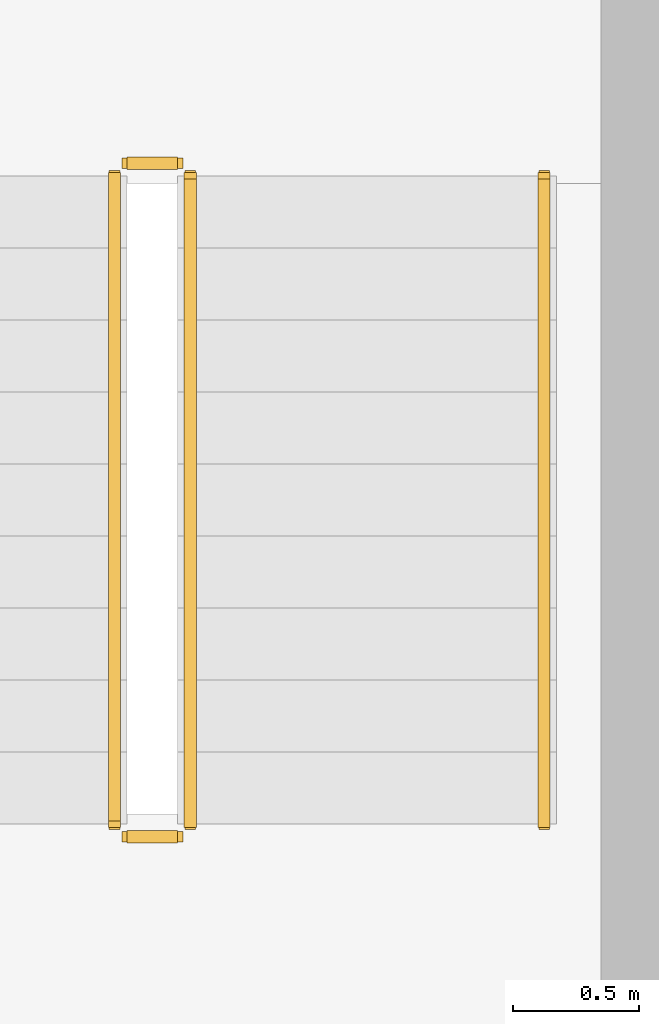
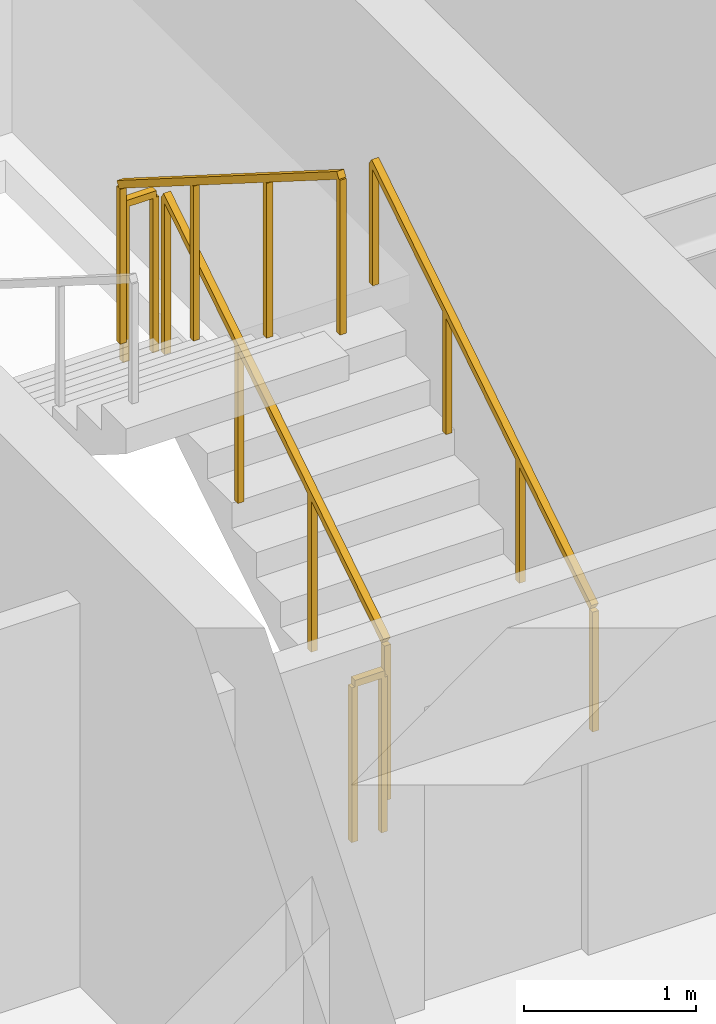
# One storey, part 22 of 22: 5 railings.
"""IFC4 building model written with IfcOpenShell, lengths in metres."""

from ifc_helpers import new_model, si_unit, direction, frame, origin, origin_2d, place, context, subcontext, project, spatial, rectangle, extrude, material, type_object, element, save


model = new_model("IFC4")

# Units and contexts
model_context = context("Model", 3, precision=1e-05, world=origin(), true_north=direction((0.0, 1.0)))
body_context = subcontext(model_context, "Body", "Model", "MODEL_VIEW")
ifc_project = project(units=[si_unit("LENGTHUNIT", "METRE"), si_unit("AREAUNIT", "SQUARE_METRE"), si_unit("VOLUMEUNIT", "CUBIC_METRE"), si_unit("PLANEANGLEUNIT", "RADIAN"), si_unit("MASSUNIT", "GRAM", prefix="KILO")], contexts=[model_context])

# Site, building, storey
site_placement = place(None, origin())
site = spatial("IfcSite", under=ifc_project, at=site_placement, CompositionType="ELEMENT")
building_placement = place(site_placement, origin())
building = spatial("IfcBuilding", under=site, at=building_placement, Name="Sarneth Arch Tower", CompositionType="ELEMENT")
storey_placement = place(building_placement, frame((0.0, 0.0, 301.800048828125)))
storey = spatial("IfcBuildingStorey", under=building, at=storey_placement, Name="L78", CompositionType="ELEMENT", Elevation=301.800048828125)

# Railings
ifc_material_1 = material(Name="Brushed Stainless Steel 304 tubular handrail", Category="steel")
railing_type_1 = type_object("IfcRailingType", Name="RAIL-HANDRAIL-900", PredefinedType="HANDRAIL", material=ifc_material_1)
railing_1_placement = place(storey_placement, frame((58.60009765625, 41.449951171875, 0.179931640625)))
element("IfcRailing", 1, at=railing_1_placement, inside=storey, type_object=railing_type_1, Name="L78 ST-2 stair handrail 1", PredefinedType="HANDRAIL", context=body_context, shape_type="SweptSolid", body=[
    extrude(rectangle(XDim=0.048095703125, YDim=0.048095703125, at=origin_2d()), frame((0.0, 0.0, 0.8759765625), z_axis=(0.0, 0.845465955043, 0.534029323973), x_axis=(-1.0, 0.0, 0.0)), (0.0, 0.0, 1.0), 3.03369140625),
    extrude(rectangle(XDim=0.0419921875, YDim=0.0419921875, at=origin_2d()), origin(), (0.0, 0.0, 1.0), 0.851806640625),
    extrude(rectangle(XDim=0.0419921875, YDim=0.0419921875, at=origin_2d()), frame((0.0, 0.85498046875, 0.5400390625)), (0.0, 0.0, 1.0), 0.851806640625),
    extrude(rectangle(XDim=0.0419921875, YDim=0.0419921875, at=origin_2d()), frame((0.0, 1.7099609375, 1.080078125)), (0.0, 0.0, 1.0), 0.851806640625),
    extrude(rectangle(XDim=0.0419921875, YDim=0.0419921875, at=origin_2d()), frame((0.0, 2.56494140625, 1.6201171875)), (0.0, 0.0, 1.0), 0.851806640625),
])
ifc_material_2 = material(Name="Painted Steel S275 stair well guard", Category="steel")
railing_type_2 = type_object("IfcRailingType", Name="RAIL-STAIR-GUARD", PredefinedType="GUARDRAIL", material=ifc_material_2)
railing_2_placement = place(storey_placement, frame((57.199951171875, 41.449951171875, 0.179931640625)))
element("IfcRailing", 2, at=railing_2_placement, inside=storey, type_object=railing_type_2, Name="L78 ST-2 stair guard 1", PredefinedType="GUARDRAIL", context=body_context, shape_type="SweptSolid", body=[
    extrude(rectangle(XDim=0.048095703125, YDim=0.048095703125, at=origin_2d()), frame((0.0, 0.0, 1.1259765625), z_axis=(0.0, 0.845465955043, 0.534029323973), x_axis=(-1.0, 0.0, 0.0)), (0.0, 0.0, 1.0), 3.03369140625),
    extrude(rectangle(XDim=0.0419921875, YDim=0.0419921875, at=origin_2d()), origin(), (0.0, 0.0, 1.0), 1.101806640625),
    extrude(rectangle(XDim=0.0419921875, YDim=0.0419921875, at=origin_2d()), frame((0.0, 0.85498046875, 0.5400390625)), (0.0, 0.0, 1.0), 1.101806640625),
    extrude(rectangle(XDim=0.0419921875, YDim=0.0419921875, at=origin_2d()), frame((0.0, 1.7099609375, 1.080078125)), (0.0, 0.0, 1.0), 1.101806640625),
    extrude(rectangle(XDim=0.0419921875, YDim=0.0419921875, at=origin_2d()), frame((0.0, 2.56494140625, 1.6201171875)), (0.0, 0.0, 1.0), 1.101806640625),
])
railing_3_placement = place(storey_placement, frame((57.14990234375, 44.06494140625, 1.800048828125)))
element("IfcRailing", 3, at=railing_3_placement, inside=storey, type_object=railing_type_2, Name="L78 ST-2 stair guard 2", PredefinedType="GUARDRAIL", context=body_context, shape_type="SweptSolid", body=[
    extrude(rectangle(XDim=0.048095703125, YDim=0.048095703125, at=origin_2d()), frame((0.0, 0.0, 1.1259765625), z_axis=(-1.0, 0.0, 0.0), x_axis=(0.0, -1.0, 0.0)), (0.0, 0.0, 1.0), 0.199951171875),
    extrude(rectangle(XDim=0.0419921875, YDim=0.0419921875, at=origin_2d()), origin(), (0.0, 0.0, 1.0), 1.101806640625),
    extrude(rectangle(XDim=0.0419921875, YDim=0.0419921875, at=origin_2d()), frame((-0.199951171875, 0.0, 0.0)), (0.0, 0.0, 1.0), 1.101806640625),
])
railing_4_placement = place(storey_placement, frame((56.89990234375, 44.014892578125, 1.97998046875)))
element("IfcRailing", 4, at=railing_4_placement, inside=storey, type_object=railing_type_2, Name="L78 ST-2 stair guard 3", PredefinedType="GUARDRAIL", context=body_context, shape_type="SweptSolid", body=[
    extrude(rectangle(XDim=0.048095703125, YDim=0.048095703125, at=origin_2d()), frame((0.0, 0.0, 1.1259765625), z_axis=(0.0, -0.845502289212, 0.533971796014), x_axis=(1.0, 0.0, 0.0)), (0.0, 0.0, 1.0), 3.03369140625),
    extrude(rectangle(XDim=0.0419921875, YDim=0.0419921875, at=origin_2d()), origin(), (0.0, 0.0, 1.0), 1.101806640625),
    extrude(rectangle(XDim=0.0419921875, YDim=0.0419921875, at=origin_2d()), frame((0.0, -0.85498046875, 0.5400390625)), (0.0, 0.0, 1.0), 1.101806640625),
    extrude(rectangle(XDim=0.0419921875, YDim=0.0419921875, at=origin_2d()), frame((0.0, -1.7099609375, 1.079833984375)), (0.0, 0.0, 1.0), 1.101806640625),
    extrude(rectangle(XDim=0.0419921875, YDim=0.0419921875, at=origin_2d()), frame((0.0, -2.56494140625, 1.619873046875)), (0.0, 0.0, 1.0), 1.101806640625),
])
railing_5_placement = place(storey_placement, frame((57.14990234375, 41.39990234375, 0.0)))
element("IfcRailing", 5, at=railing_5_placement, inside=storey, type_object=railing_type_2, Name="L78 ST-2 stair guard 4", PredefinedType="GUARDRAIL", context=body_context, shape_type="SweptSolid", body=[
    extrude(rectangle(XDim=0.048095703125, YDim=0.048095703125, at=origin_2d()), frame((0.0, 0.0, 1.1259765625), z_axis=(-1.0, 0.0, 0.0), x_axis=(0.0, -1.0, 0.0)), (0.0, 0.0, 1.0), 0.199951171875),
    extrude(rectangle(XDim=0.0419921875, YDim=0.0419921875, at=origin_2d()), origin(), (0.0, 0.0, 1.0), 1.101806640625),
    extrude(rectangle(XDim=0.0419921875, YDim=0.0419921875, at=origin_2d()), frame((-0.199951171875, 0.0, 0.0)), (0.0, 0.0, 1.0), 1.101806640625),
])

save(model, "model.ifc")
